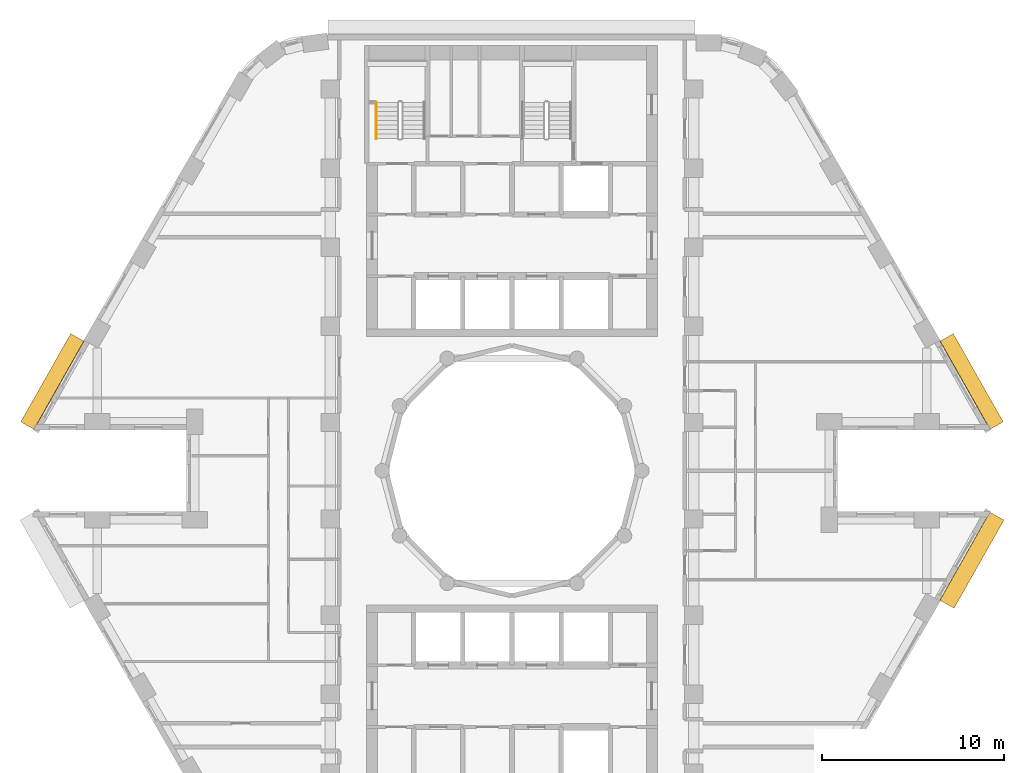
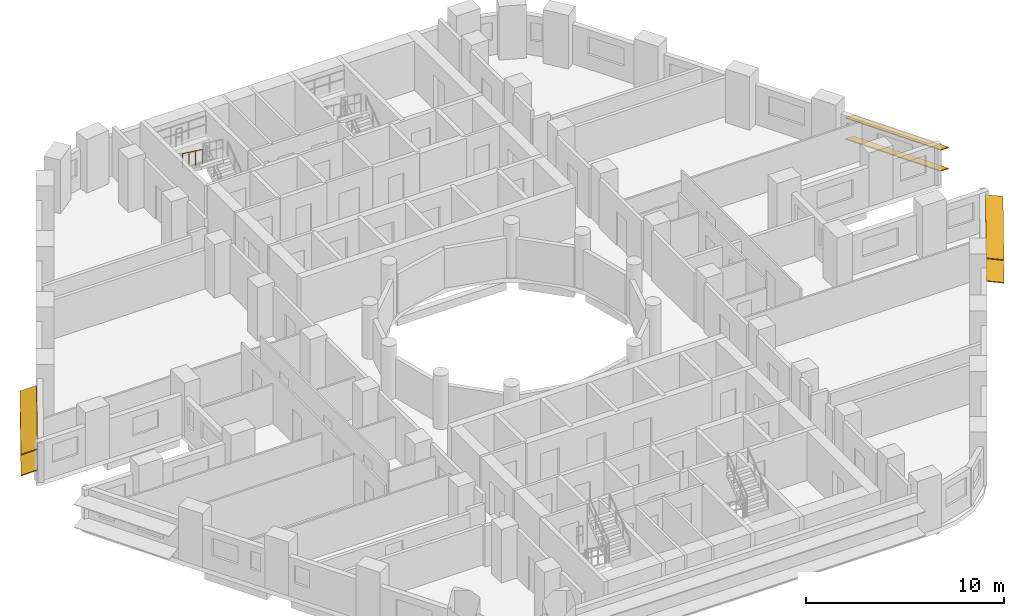
# One storey, part 11 of 12: 6 shading devices, 1 railing.
"""IFC4 building model written with IfcOpenShell, lengths in metres."""

from ifc_helpers import new_model, si_unit, direction, frame, origin, origin_2d, place, context, subcontext, project, spatial, rectangle, circle, extrude, material, material_profile, profile_set, type_object, element, save


model = new_model("IFC4")

# Units and contexts
model_context = context("Model", 3, precision=1e-05, world=origin(), true_north=direction((0.0, 1.0)))
body_context = subcontext(model_context, "Body", "Model", "MODEL_VIEW")
ifc_project = project(units=[si_unit("LENGTHUNIT", "METRE"), si_unit("AREAUNIT", "SQUARE_METRE"), si_unit("VOLUMEUNIT", "CUBIC_METRE"), si_unit("PLANEANGLEUNIT", "RADIAN"), si_unit("MASSUNIT", "GRAM", prefix="KILO")], contexts=[model_context])

# Site, building, storey
site_placement = place(None, origin())
site = spatial("IfcSite", under=ifc_project, at=site_placement, CompositionType="ELEMENT")
building_placement = place(site_placement, origin())
building = spatial("IfcBuilding", under=site, at=building_placement, Name="Nakaniwa Court", CompositionType="ELEMENT")
storey_placement = place(building_placement, frame((0.0, 0.0, 87.60009765625)))
storey = spatial("IfcBuildingStorey", under=building, at=storey_placement, Name="L22", CompositionType="ELEMENT", Elevation=87.60009765625)

# Shading devices
ifc_material_1 = material(Name="Perforated charcoal ceramic louvre blade")
ifc_material_profile = material_profile(ifc_material_1, rectangle(XDim=0.89990234375, YDim=0.050048828125, at=origin_2d()), Name="Perforated ceramic louvre blade")
ifc_profile_set = profile_set([ifc_material_profile], Name="Perforated charcoal ceramic louvre blade")
shading_device_type = type_object("IfcShadingDeviceType", Name="Perforated ceramic louvre blade", PredefinedType="JALOUSIE", material=ifc_profile_set)
for number, where, z_axis, x_axis, name in (
    (1, (106.662353515625, 82.480224609375, 0.5498046875), (-0.492438058427, 0.870347493024, 0.0), (-0.804676322539, -0.455281653718, 0.38107037635), "L22 perforated ceramic louvre blade w02 1"),
    (2, (106.662353515625, 82.480224609375, 1.84521484375), (-0.492438058427, 0.870347493024, 0.0), (-0.804676322539, -0.455281653718, 0.38107037635), "L22 perforated ceramic louvre blade w02 2"),
    (3, (56.083740234375, 87.333740234375, 0.5498046875), (-0.492438058427, -0.870347493024, 0.0), (0.804676322539, -0.455281653718, 0.38107037635), "L22 perforated ceramic louvre blade w14 1"),
    (4, (56.083740234375, 87.333740234375, 1.84521484375), (-0.492438058427, -0.870347493024, 0.0), (0.804676322539, -0.455281653718, 0.38107037635), "L22 perforated ceramic louvre blade w14 2"),
    (5, (103.93701171875, 72.654541015625, 0.5498046875), (0.492438058427, 0.870347493024, 0.0), (-0.862701960504, 0.488112256124, 0.132256390257), "L22 perforated ceramic louvre blade w32 1"),
    (6, (103.93701171875, 72.654541015625, 1.95556640625), (0.492438058427, 0.870347493024, 0.0), (-0.862701960504, 0.488112256124, 0.132256390257), "L22 perforated ceramic louvre blade w32 2"),
):
    element("IfcShadingDevice", number, at=place(storey_placement, frame(where, z_axis=z_axis, x_axis=x_axis)), inside=storey, type_object=shading_device_type, Name=name, PredefinedType="JALOUSIE", context=body_context, shape_type="SweptSolid", body=[
        extrude(rectangle(XDim=0.89990234375, YDim=0.050048828125, at=origin_2d()), origin(), (0.0, 0.0, 1.0), 5.576416015625),
    ])

# Railing
ifc_material_2 = material(Name="Black powder coated steel handrail", Category="steel")
railing_type = type_object("IfcRailingType", Name="Stair handrail 900", PredefinedType="HANDRAIL", material=ifc_material_2)
railing_placement = place(storey_placement, frame((72.52490234375, 100.27490234375, 1.833251953125)))
element("IfcRailing", 7, at=railing_placement, inside=storey, type_object=railing_type, Name="L22 ST1 stair handrail 2", PredefinedType="HANDRAIL", context=body_context, shape_type="SweptSolid", body=[
    extrude(circle(Radius=0.02392578125, at=origin_2d()), frame((0.0, 0.0, 0.8759765625), z_axis=(0.0, -0.806426902644, 0.591333789573), x_axis=(1.0, 0.0, 0.0)), (0.0, 0.0, 1.0), 2.47998046875),
    extrude(circle(Radius=0.02099609375, at=origin_2d()), origin(), (0.0, 0.0, 1.0), 0.851806640625),
    extrude(circle(Radius=0.02099609375, at=origin_2d()), frame((0.0, -0.666748046875, 0.48876953125)), (0.0, 0.0, 1.0), 0.851806640625),
    extrude(circle(Radius=0.02099609375, at=origin_2d()), frame((0.0, -1.333251953125, 0.977783203125)), (0.0, 0.0, 1.0), 0.851806640625),
    extrude(circle(Radius=0.02099609375, at=origin_2d()), frame((0.0, -2.0, 1.466552734375)), (0.0, 0.0, 1.0), 0.851806640625),
])

save(model, "model.ifc")
